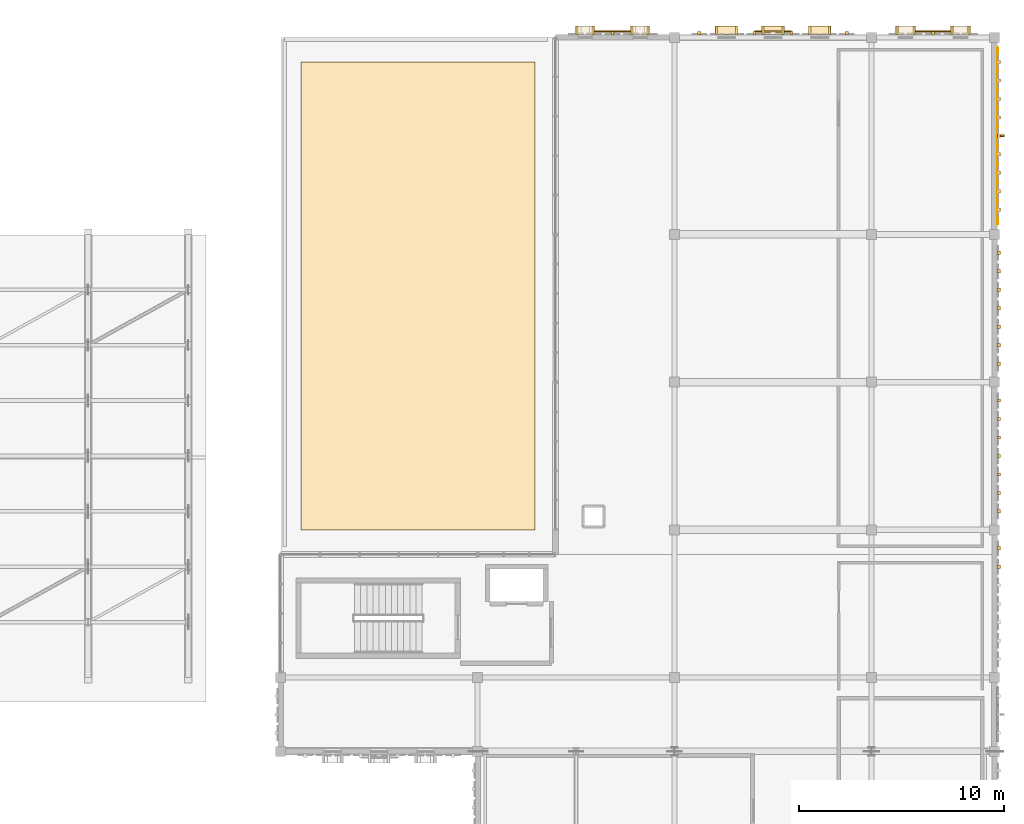
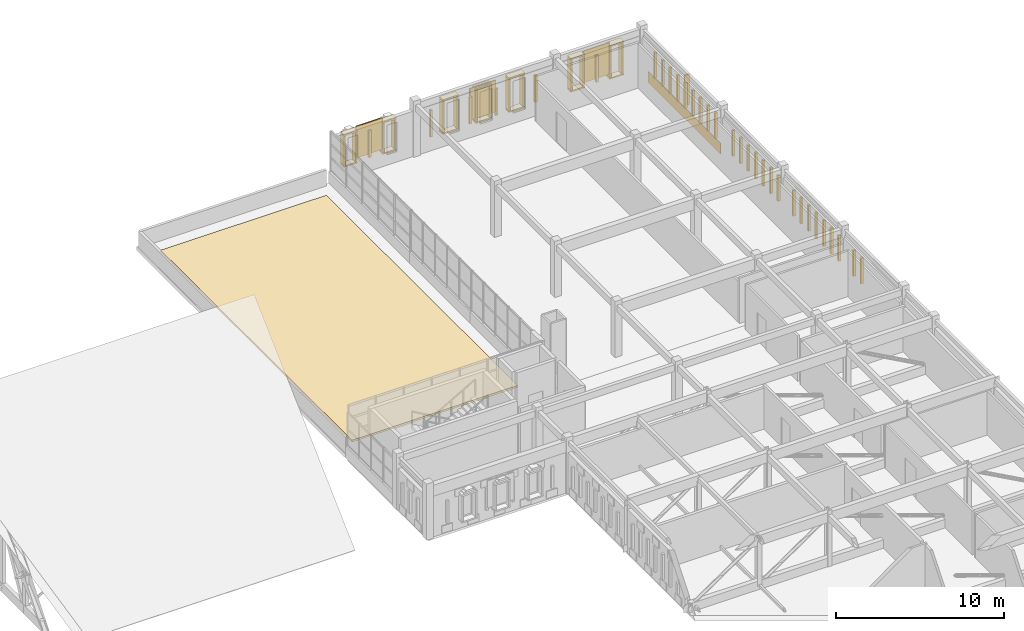
# One storey, part 73 of 79: 61 coverings, 4 shading devices.
"""IFC4 building model written with IfcOpenShell, lengths in metres."""

from ifc_helpers import new_model, si_unit, direction, frame, origin, origin_2d, place, context, subcontext, project, spatial, polyline, rectangle, outline, extrude, material, layer, layer_set, type_object, element, save


model = new_model("IFC4")

# Units and contexts
model_context = context("Model", 3, precision=1e-05, world=origin(), true_north=direction((0.0, 1.0)))
body_context = subcontext(model_context, "Body", "Model", "MODEL_VIEW")
ifc_project = project(units=[si_unit("LENGTHUNIT", "METRE"), si_unit("AREAUNIT", "SQUARE_METRE"), si_unit("VOLUMEUNIT", "CUBIC_METRE"), si_unit("PLANEANGLEUNIT", "RADIAN"), si_unit("MASSUNIT", "GRAM", prefix="KILO")], contexts=[model_context])

# Site, building, storey
site_placement = place(None, origin())
site = spatial("IfcSite", under=ifc_project, at=site_placement, CompositionType="ELEMENT")
building_placement = place(site_placement, origin())
building = spatial("IfcBuilding", under=site, at=building_placement, Name="Nzembalo Square Collegiate School", CompositionType="ELEMENT")
storey_placement = place(building_placement, frame((0.0, 0.0, 9.52001953125)))
storey = spatial("IfcBuildingStorey", under=building, at=storey_placement, Name="L02", CompositionType="ELEMENT", Elevation=9.52001953125)

# Coverings
ifc_material_1 = material(Name="Glazed cobalt ceramic patterned tile")
ifc_layer_1 = layer(ifc_material_1, 0.074951171875, Name="Glazed cobalt ceramic patterned tile")
ifc_layer_set_1 = layer_set([ifc_layer_1], Name="Glazed cobalt ceramic patterned tile")
covering_type_1 = type_object("IfcCoveringType", Name="CL01", PredefinedType="CLADDING", material=ifc_layer_set_1)
covering_1_placement = place(storey_placement, frame((165.757568359375, 109.199951171875, 0.02001953125), z_axis=(0.0, 0.0, 1.0), x_axis=(1.0, 0.0, 0.0)))
element("IfcCovering", 1, at=covering_1_placement, inside=storey, type_object=covering_type_1, Name="Faience spandrel cladding CL01-0172", PredefinedType="CLADDING", context=body_context, shape_type="SweptSolid", body=[
    extrude(rectangle(XDim=0.034912109375, YDim=8.615966796875, at=origin_2d()), origin(), (0.0, 0.0, 1.0), 0.800048828125),
])
ifc_material_2 = material(Name="Glazed ochre ceramic lancet rib")
ifc_layer_2 = layer(ifc_material_2, 0.159912109375, Name="Glazed ochre ceramic lancet rib")
ifc_layer_set_2 = layer_set([ifc_layer_2], Name="Glazed ochre ceramic lancet rib")
covering_type_2 = type_object("IfcCoveringType", Name="CL02", PredefinedType="CLADDING", material=ifc_layer_set_2)
for number, where, z_axis, x_axis, name in (
    (2, (146.97900390625, 114.202392578125, 0.759765625), (0.0, 0.0, 1.0), (1.0, 0.0, 0.0), "Gothic ceramic rib CL02-X0155-2"),
    (3, (151.199951171875, 114.21240234375, 0.759765625), (0.0, 0.0, 1.0), (1.0, 0.0, 0.0), "Gothic ceramic rib CL02-X0156-0"),
    (4, (153.89990234375, 114.21240234375, 0.759765625), (0.0, 0.0, 1.0), (1.0, 0.0, 0.0), "Gothic ceramic rib CL02-X0156-3"),
    (5, (155.699951171875, 114.21240234375, 0.759765625), (0.0, 0.0, 1.0), (1.0, 0.0, 0.0), "Gothic ceramic rib CL02-X0156-5"),
    (6, (158.39990234375, 114.21240234375, 0.759765625), (0.0, 0.0, 1.0), (1.0, 0.0, 0.0), "Gothic ceramic rib CL02-X0156-8"),
    (7, (162.60009765625, 114.202392578125, 0.759765625), (0.0, 0.0, 1.0), (1.0, 0.0, 0.0), "Gothic ceramic rib CL02-X0157-2"),
):
    element("IfcCovering", number, at=place(storey_placement, frame(where, z_axis=z_axis, x_axis=x_axis)), inside=storey, type_object=covering_type_2, Name=name, PredefinedType="CLADDING", context=body_context, shape_type="SweptSolid", body=[
        extrude(rectangle(XDim=0.159912109375, YDim=0.159912109375, at=origin_2d()), origin(), (0.0, 0.0, 1.0), 1.948974609375),
    ])
for number, where, z_axis, x_axis, name in (
    (8, (165.802490234375, 88.199951171875, 0.76025390625), (0.0, 0.0, 1.0), (1.0, 0.0, 0.0), "Gothic ceramic rib CL02-Y0169-5"),
    (9, (165.802490234375, 89.10009765625, 0.76025390625), (0.0, 0.0, 1.0), (1.0, 0.0, 0.0), "Gothic ceramic rib CL02-Y0169-6"),
    (10, (165.8125, 90.89990234375, 0.76025390625), (0.0, 0.0, 1.0), (1.0, 0.0, 0.0), "Gothic ceramic rib CL02-Y0170-0"),
    (11, (165.8125, 91.800048828125, 0.76025390625), (0.0, 0.0, 1.0), (1.0, 0.0, 0.0), "Gothic ceramic rib CL02-Y0170-1"),
    (12, (165.8125, 92.699951171875, 0.76025390625), (0.0, 0.0, 1.0), (1.0, 0.0, 0.0), "Gothic ceramic rib CL02-Y0170-2"),
    (13, (165.8125, 93.60009765625, 0.76025390625), (0.0, 0.0, 1.0), (1.0, 0.0, 0.0), "Gothic ceramic rib CL02-Y0170-3"),
    (14, (165.8125, 94.5, 0.76025390625), (0.0, 0.0, 1.0), (1.0, 0.0, 0.0), "Gothic ceramic rib CL02-Y0170-4"),
    (15, (165.8125, 95.39990234375, 0.76025390625), (0.0, 0.0, 1.0), (1.0, 0.0, 0.0), "Gothic ceramic rib CL02-Y0170-5"),
    (16, (165.8125, 96.300048828125, 0.76025390625), (0.0, 0.0, 1.0), (1.0, 0.0, 0.0), "Gothic ceramic rib CL02-Y0170-6"),
    (17, (165.802490234375, 98.10009765625, 0.76025390625), (0.0, 0.0, 1.0), (1.0, 0.0, 0.0), "Gothic ceramic rib CL02-Y0171-0"),
    (18, (165.802490234375, 99.0, 0.76025390625), (0.0, 0.0, 1.0), (1.0, 0.0, 0.0), "Gothic ceramic rib CL02-Y0171-1"),
    (19, (165.802490234375, 99.89990234375, 0.76025390625), (0.0, 0.0, 1.0), (1.0, 0.0, 0.0), "Gothic ceramic rib CL02-Y0171-2"),
    (20, (165.802490234375, 100.800048828125, 0.76025390625), (0.0, 0.0, 1.0), (1.0, 0.0, 0.0), "Gothic ceramic rib CL02-Y0171-3"),
    (21, (165.802490234375, 101.699951171875, 0.76025390625), (0.0, 0.0, 1.0), (1.0, 0.0, 0.0), "Gothic ceramic rib CL02-Y0171-4"),
    (22, (165.802490234375, 102.60009765625, 0.76025390625), (0.0, 0.0, 1.0), (1.0, 0.0, 0.0), "Gothic ceramic rib CL02-Y0171-5"),
    (23, (165.802490234375, 103.5, 0.76025390625), (0.0, 0.0, 1.0), (1.0, 0.0, 0.0), "Gothic ceramic rib CL02-Y0171-6"),
    (24, (165.8125, 105.60009765625, 0.76025390625), (0.0, 0.0, 1.0), (1.0, 0.0, 0.0), "Gothic ceramic rib CL02-Y0172-0"),
    (25, (165.8125, 106.5, 0.76025390625), (0.0, 0.0, 1.0), (1.0, 0.0, 0.0), "Gothic ceramic rib CL02-Y0172-1"),
    (26, (165.8125, 107.39990234375, 0.76025390625), (0.0, 0.0, 1.0), (1.0, 0.0, 0.0), "Gothic ceramic rib CL02-Y0172-2"),
    (27, (165.8125, 108.300048828125, 0.76025390625), (0.0, 0.0, 1.0), (1.0, 0.0, 0.0), "Gothic ceramic rib CL02-Y0172-3"),
    (28, (165.8125, 109.199951171875, 0.76025390625), (0.0, 0.0, 1.0), (1.0, 0.0, 0.0), "Gothic ceramic rib CL02-Y0172-4"),
    (29, (165.8125, 110.10009765625, 0.76025390625), (0.0, 0.0, 1.0), (1.0, 0.0, 0.0), "Gothic ceramic rib CL02-Y0172-5"),
    (30, (165.8125, 111.0, 0.76025390625), (0.0, 0.0, 1.0), (1.0, 0.0, 0.0), "Gothic ceramic rib CL02-Y0172-6"),
    (31, (165.8125, 111.89990234375, 0.76025390625), (0.0, 0.0, 1.0), (1.0, 0.0, 0.0), "Gothic ceramic rib CL02-Y0172-7"),
    (32, (165.8125, 112.800048828125, 0.76025390625), (0.0, 0.0, 1.0), (1.0, 0.0, 0.0), "Gothic ceramic rib CL02-Y0172-8"),
):
    element("IfcCovering", number, at=place(storey_placement, frame(where, z_axis=z_axis, x_axis=x_axis)), inside=storey, type_object=covering_type_2, Name=name, PredefinedType="CLADDING", context=body_context, shape_type="SweptSolid", body=[
        extrude(rectangle(XDim=0.159912109375, YDim=0.159912109375, at=origin_2d()), origin(), (0.0, 0.0, 1.0), 1.868896484375),
    ])
ifc_material_3 = material(Name="Planted extensive green roof substrate")
ifc_layer_3 = layer(ifc_material_3, 0.139892578125, Name="Planted extensive green roof substrate")
ifc_layer_set_3 = layer_set([ifc_layer_3], Name="Planted extensive green roof substrate")
covering_type_3 = type_object("IfcCoveringType", Name="GR01", PredefinedType="ROOFING", material=ifc_layer_set_3)
covering_2_placement = place(storey_placement, origin())
element("IfcCovering", 33, at=covering_2_placement, inside=storey, type_object=covering_type_3, Name="Planted green roof bed GR01-02", PredefinedType="ROOFING", context=body_context, shape_type="SweptSolid", body=[
    extrude(outline(polyline([(131.800048828125, 90.0), (143.199951171875, 90.0), (143.199951171875, 112.800048828125), (131.800048828125, 112.800048828125), (131.800048828125, 90.0)])), origin(), (0.0, 0.0, 1.0), 0.139892578125),
])
ifc_material_4 = material(Name="Glazed celadon ceramic window frame")
ifc_layer_4 = layer(ifc_material_4, 0.419921875, Name="Glazed celadon ceramic window frame")
ifc_layer_set_4 = layer_set([ifc_layer_4], Name="Glazed celadon ceramic window frame")
covering_type_4 = type_object("IfcCoveringType", Name="WF01", PredefinedType="CLADDING", material=ifc_layer_set_4)
covering_3_placement = place(storey_placement, frame((145.639404296875, 114.33740234375, 2.9150390625), z_axis=(0.0, 0.0, 1.0), x_axis=(1.0, 0.0, 0.0)))
element("IfcCovering", 34, at=covering_3_placement, inside=storey, type_object=covering_type_4, Name="Deep lancet window hood WF01-0428", PredefinedType="CLADDING", context=body_context, shape_type="SweptSolid", body=[
    extrude(rectangle(XDim=0.919921875, YDim=0.419921875, at=origin_2d()), origin(), (0.0, 0.0, 1.0), 0.110107421875),
])
covering_4_placement = place(storey_placement, frame((145.639404296875, 114.33740234375, 0.65478515625), z_axis=(0.0, 0.0, 1.0), x_axis=(1.0, 0.0, 0.0)))
element("IfcCovering", 35, at=covering_4_placement, inside=storey, type_object=covering_type_4, Name="Deep lancet window sill WF01-0428", PredefinedType="CLADDING", context=body_context, shape_type="SweptSolid", body=[
    extrude(rectangle(XDim=0.919921875, YDim=0.419921875, at=origin_2d()), origin(), (0.0, 0.0, 1.0), 0.090087890625),
])
for number, where, z_axis, x_axis, name in (
    (36, (145.244384765625, 114.33740234375, 0.75), (0.0, 0.0, 1.0), (1.0, 0.0, 0.0), "Deep lancet window jamb WF01-0428L"),
    (37, (146.034423828125, 114.33740234375, 0.75), (0.0, 0.0, 1.0), (1.0, 0.0, 0.0), "Deep lancet window jamb WF01-0428R"),
):
    element("IfcCovering", number, at=place(storey_placement, frame(where, z_axis=z_axis, x_axis=x_axis)), inside=storey, type_object=covering_type_4, Name=name, PredefinedType="CLADDING", context=body_context, shape_type="SweptSolid", body=[
        extrude(rectangle(XDim=0.10009765625, YDim=0.419921875, at=origin_2d()), origin(), (0.0, 0.0, 1.0), 2.159912109375),
    ])
covering_5_placement = place(storey_placement, frame((148.318603515625, 114.33740234375, 2.9150390625), z_axis=(0.0, 0.0, 1.0), x_axis=(1.0, 0.0, 0.0)))
element("IfcCovering", 38, at=covering_5_placement, inside=storey, type_object=covering_type_4, Name="Deep lancet window hood WF01-0429", PredefinedType="CLADDING", context=body_context, shape_type="SweptSolid", body=[
    extrude(rectangle(XDim=0.919921875, YDim=0.419921875, at=origin_2d()), origin(), (0.0, 0.0, 1.0), 0.110107421875),
])
covering_6_placement = place(storey_placement, frame((148.318603515625, 114.33740234375, 0.65478515625), z_axis=(0.0, 0.0, 1.0), x_axis=(1.0, 0.0, 0.0)))
element("IfcCovering", 39, at=covering_6_placement, inside=storey, type_object=covering_type_4, Name="Deep lancet window sill WF01-0429", PredefinedType="CLADDING", context=body_context, shape_type="SweptSolid", body=[
    extrude(rectangle(XDim=0.919921875, YDim=0.419921875, at=origin_2d()), origin(), (0.0, 0.0, 1.0), 0.090087890625),
])
for number, where, z_axis, x_axis, name in (
    (40, (147.923583984375, 114.33740234375, 0.75), (0.0, 0.0, 1.0), (1.0, 0.0, 0.0), "Deep lancet window jamb WF01-0429L"),
    (41, (148.71337890625, 114.33740234375, 0.75), (0.0, 0.0, 1.0), (1.0, 0.0, 0.0), "Deep lancet window jamb WF01-0429R"),
):
    element("IfcCovering", number, at=place(storey_placement, frame(where, z_axis=z_axis, x_axis=x_axis)), inside=storey, type_object=covering_type_4, Name=name, PredefinedType="CLADDING", context=body_context, shape_type="SweptSolid", body=[
        extrude(rectangle(XDim=0.10009765625, YDim=0.419921875, at=origin_2d()), origin(), (0.0, 0.0, 1.0), 2.159912109375),
    ])
covering_7_placement = place(storey_placement, frame((152.52587890625, 114.347412109375, 3.07470703125), z_axis=(0.0, 0.0, 1.0), x_axis=(1.0, 0.0, 0.0)))
element("IfcCovering", 42, at=covering_7_placement, inside=storey, type_object=covering_type_4, Name="Deep lancet window hood WF01-0430", PredefinedType="CLADDING", context=body_context, shape_type="SweptSolid", body=[
    extrude(rectangle(XDim=1.10009765625, YDim=0.419921875, at=origin_2d()), origin(), (0.0, 0.0, 1.0), 0.110107421875),
])
covering_8_placement = place(storey_placement, frame((152.52587890625, 114.347412109375, 0.65478515625), z_axis=(0.0, 0.0, 1.0), x_axis=(1.0, 0.0, 0.0)))
element("IfcCovering", 43, at=covering_8_placement, inside=storey, type_object=covering_type_4, Name="Deep lancet window sill WF01-0430", PredefinedType="CLADDING", context=body_context, shape_type="SweptSolid", body=[
    extrude(rectangle(XDim=1.10009765625, YDim=0.419921875, at=origin_2d()), origin(), (0.0, 0.0, 1.0), 0.090087890625),
])
for number, where, z_axis, x_axis, name in (
    (44, (152.041015625, 114.347412109375, 0.75), (0.0, 0.0, 1.0), (1.0, 0.0, 0.0), "Deep lancet window jamb WF01-0430L"),
    (45, (153.010986328125, 114.347412109375, 0.75), (0.0, 0.0, 1.0), (1.0, 0.0, 0.0), "Deep lancet window jamb WF01-0430R"),
):
    element("IfcCovering", number, at=place(storey_placement, frame(where, z_axis=z_axis, x_axis=x_axis)), inside=storey, type_object=covering_type_4, Name=name, PredefinedType="CLADDING", context=body_context, shape_type="SweptSolid", body=[
        extrude(rectangle(XDim=0.10009765625, YDim=0.419921875, at=origin_2d()), origin(), (0.0, 0.0, 1.0), 2.320068359375),
    ])
covering_9_placement = place(storey_placement, frame((154.800048828125, 114.347412109375, 3.07470703125), z_axis=(0.0, 0.0, 1.0), x_axis=(1.0, 0.0, 0.0)))
element("IfcCovering", 46, at=covering_9_placement, inside=storey, type_object=covering_type_4, Name="Deep lancet window hood WF01-0431", PredefinedType="CLADDING", context=body_context, shape_type="SweptSolid", body=[
    extrude(rectangle(XDim=1.10009765625, YDim=0.419921875, at=origin_2d()), origin(), (0.0, 0.0, 1.0), 0.110107421875),
])
covering_10_placement = place(storey_placement, frame((154.800048828125, 114.347412109375, 0.65478515625), z_axis=(0.0, 0.0, 1.0), x_axis=(1.0, 0.0, 0.0)))
element("IfcCovering", 47, at=covering_10_placement, inside=storey, type_object=covering_type_4, Name="Deep lancet window sill WF01-0431", PredefinedType="CLADDING", context=body_context, shape_type="SweptSolid", body=[
    extrude(rectangle(XDim=1.10009765625, YDim=0.419921875, at=origin_2d()), origin(), (0.0, 0.0, 1.0), 0.090087890625),
])
for number, where, z_axis, x_axis, name in (
    (48, (154.31494140625, 114.347412109375, 0.75), (0.0, 0.0, 1.0), (1.0, 0.0, 0.0), "Deep lancet window jamb WF01-0431L"),
    (49, (155.284912109375, 114.347412109375, 0.75), (0.0, 0.0, 1.0), (1.0, 0.0, 0.0), "Deep lancet window jamb WF01-0431R"),
):
    element("IfcCovering", number, at=place(storey_placement, frame(where, z_axis=z_axis, x_axis=x_axis)), inside=storey, type_object=covering_type_4, Name=name, PredefinedType="CLADDING", context=body_context, shape_type="SweptSolid", body=[
        extrude(rectangle(XDim=0.10009765625, YDim=0.419921875, at=origin_2d()), origin(), (0.0, 0.0, 1.0), 2.320068359375),
    ])
covering_11_placement = place(storey_placement, frame((157.073974609375, 114.347412109375, 3.07470703125), z_axis=(0.0, 0.0, 1.0), x_axis=(1.0, 0.0, 0.0)))
element("IfcCovering", 50, at=covering_11_placement, inside=storey, type_object=covering_type_4, Name="Deep lancet window hood WF01-0432", PredefinedType="CLADDING", context=body_context, shape_type="SweptSolid", body=[
    extrude(rectangle(XDim=1.10009765625, YDim=0.419921875, at=origin_2d()), origin(), (0.0, 0.0, 1.0), 0.110107421875),
])
covering_12_placement = place(storey_placement, frame((157.073974609375, 114.347412109375, 0.65478515625), z_axis=(0.0, 0.0, 1.0), x_axis=(1.0, 0.0, 0.0)))
element("IfcCovering", 51, at=covering_12_placement, inside=storey, type_object=covering_type_4, Name="Deep lancet window sill WF01-0432", PredefinedType="CLADDING", context=body_context, shape_type="SweptSolid", body=[
    extrude(rectangle(XDim=1.10009765625, YDim=0.419921875, at=origin_2d()), origin(), (0.0, 0.0, 1.0), 0.090087890625),
])
for number, where, z_axis, x_axis, name in (
    (52, (156.589111328125, 114.347412109375, 0.75), (0.0, 0.0, 1.0), (1.0, 0.0, 0.0), "Deep lancet window jamb WF01-0432L"),
    (53, (157.55908203125, 114.347412109375, 0.75), (0.0, 0.0, 1.0), (1.0, 0.0, 0.0), "Deep lancet window jamb WF01-0432R"),
):
    element("IfcCovering", number, at=place(storey_placement, frame(where, z_axis=z_axis, x_axis=x_axis)), inside=storey, type_object=covering_type_4, Name=name, PredefinedType="CLADDING", context=body_context, shape_type="SweptSolid", body=[
        extrude(rectangle(XDim=0.10009765625, YDim=0.419921875, at=origin_2d()), origin(), (0.0, 0.0, 1.0), 2.320068359375),
    ])
covering_13_placement = place(storey_placement, frame((161.260986328125, 114.33740234375, 2.9951171875), z_axis=(0.0, 0.0, 1.0), x_axis=(1.0, 0.0, 0.0)))
element("IfcCovering", 54, at=covering_13_placement, inside=storey, type_object=covering_type_4, Name="Deep lancet window hood WF01-0436", PredefinedType="CLADDING", context=body_context, shape_type="SweptSolid", body=[
    extrude(rectangle(XDim=0.9599609375, YDim=0.419921875, at=origin_2d()), origin(), (0.0, 0.0, 1.0), 0.110107421875),
])
covering_14_placement = place(storey_placement, frame((161.260986328125, 114.33740234375, 0.65478515625), z_axis=(0.0, 0.0, 1.0), x_axis=(1.0, 0.0, 0.0)))
element("IfcCovering", 55, at=covering_14_placement, inside=storey, type_object=covering_type_4, Name="Deep lancet window sill WF01-0436", PredefinedType="CLADDING", context=body_context, shape_type="SweptSolid", body=[
    extrude(rectangle(XDim=0.9599609375, YDim=0.419921875, at=origin_2d()), origin(), (0.0, 0.0, 1.0), 0.090087890625),
])
for number, where, z_axis, x_axis, name in (
    (56, (160.845947265625, 114.33740234375, 0.75), (0.0, 0.0, 1.0), (1.0, 0.0, 0.0), "Deep lancet window jamb WF01-0436L"),
    (57, (161.676025390625, 114.33740234375, 0.75), (0.0, 0.0, 1.0), (1.0, 0.0, 0.0), "Deep lancet window jamb WF01-0436R"),
):
    element("IfcCovering", number, at=place(storey_placement, frame(where, z_axis=z_axis, x_axis=x_axis)), inside=storey, type_object=covering_type_4, Name=name, PredefinedType="CLADDING", context=body_context, shape_type="SweptSolid", body=[
        extrude(rectangle(XDim=0.10009765625, YDim=0.419921875, at=origin_2d()), origin(), (0.0, 0.0, 1.0), 2.239990234375),
    ])
covering_15_placement = place(storey_placement, frame((163.93896484375, 114.33740234375, 2.9951171875), z_axis=(0.0, 0.0, 1.0), x_axis=(1.0, 0.0, 0.0)))
element("IfcCovering", 58, at=covering_15_placement, inside=storey, type_object=covering_type_4, Name="Deep lancet window hood WF01-0437", PredefinedType="CLADDING", context=body_context, shape_type="SweptSolid", body=[
    extrude(rectangle(XDim=0.9599609375, YDim=0.419921875, at=origin_2d()), origin(), (0.0, 0.0, 1.0), 0.110107421875),
])
covering_16_placement = place(storey_placement, frame((163.93896484375, 114.33740234375, 0.65478515625), z_axis=(0.0, 0.0, 1.0), x_axis=(1.0, 0.0, 0.0)))
element("IfcCovering", 59, at=covering_16_placement, inside=storey, type_object=covering_type_4, Name="Deep lancet window sill WF01-0437", PredefinedType="CLADDING", context=body_context, shape_type="SweptSolid", body=[
    extrude(rectangle(XDim=0.9599609375, YDim=0.419921875, at=origin_2d()), origin(), (0.0, 0.0, 1.0), 0.090087890625),
])
for number, where, z_axis, x_axis, name in (
    (60, (163.52392578125, 114.33740234375, 0.75), (0.0, 0.0, 1.0), (1.0, 0.0, 0.0), "Deep lancet window jamb WF01-0437L"),
    (61, (164.35400390625, 114.33740234375, 0.75), (0.0, 0.0, 1.0), (1.0, 0.0, 0.0), "Deep lancet window jamb WF01-0437R"),
):
    element("IfcCovering", number, at=place(storey_placement, frame(where, z_axis=z_axis, x_axis=x_axis)), inside=storey, type_object=covering_type_4, Name=name, PredefinedType="CLADDING", context=body_context, shape_type="SweptSolid", body=[
        extrude(rectangle(XDim=0.10009765625, YDim=0.419921875, at=origin_2d()), origin(), (0.0, 0.0, 1.0), 2.239990234375),
    ])

# Shading devices
ifc_material_5 = material(Name="Glazed ochre ceramic vertical fin")
shading_device_type_1 = type_object("IfcShadingDeviceType", Name="JL01", PredefinedType="JALOUSIE", material=ifc_material_5)
shading_device_1_placement = place(storey_placement, frame((165.8974609375, 109.199951171875, 0.9501953125), z_axis=(0.0, 0.0, 1.0), x_axis=(1.0, 0.0, 0.0)))
element("IfcShadingDevice", 62, at=shading_device_1_placement, inside=storey, type_object=shading_device_type_1, Name="Ceramic fin JL01-0172", PredefinedType="JALOUSIE", context=body_context, shape_type="SweptSolid", body=[
    extrude(rectangle(XDim=0.320068359375, YDim=0.090087890625, at=origin_2d()), origin(), (0.0, 0.0, 1.0), 2.218994140625),
])
ifc_material_6 = material(Name="Glazed cobalt ceramic lancet screen")
ifc_layer_5 = layer(ifc_material_6, 0.080078125, Name="Glazed cobalt ceramic lancet screen")
ifc_layer_set_5 = layer_set([ifc_layer_5], Name="Glazed cobalt ceramic lancet screen")
shading_device_type_2 = type_object("IfcShadingDeviceType", Name="SC01", PredefinedType="USERDEFINED", material=ifc_layer_set_5)
for number, where, z_axis, x_axis, name in (
    (63, (146.97900390625, 114.282470703125, 0.94970703125), (0.0, 0.0, 1.0), (1.0, 0.0, 0.0), "Ceramic lancet screen SC01-003"),
    (64, (162.60009765625, 114.282470703125, 0.94970703125), (0.0, 0.0, 1.0), (1.0, 0.0, 0.0), "Ceramic lancet screen SC01-005"),
):
    element("IfcShadingDevice", number, at=place(storey_placement, frame(where, z_axis=z_axis, x_axis=x_axis)), inside=storey, type_object=shading_device_type_2, Name=name, ObjectType="SCREEN", PredefinedType="USERDEFINED", context=body_context, shape_type="SweptSolid", body=[
        extrude(rectangle(XDim=1.800048828125, YDim=0.080078125, at=origin_2d()), origin(), (0.0, 0.0, 1.0), 2.299072265625),
    ])
ifc_material_7 = material(Name="Glazed celadon ceramic lancet screen")
ifc_layer_6 = layer(ifc_material_7, 0.080078125, Name="Glazed celadon ceramic lancet screen")
ifc_layer_set_6 = layer_set([ifc_layer_6], Name="Glazed celadon ceramic lancet screen")
shading_device_type_3 = type_object("IfcShadingDeviceType", Name="SC02", PredefinedType="USERDEFINED", material=ifc_layer_set_6)
shading_device_2_placement = place(storey_placement, frame((154.800048828125, 114.29248046875, 0.94970703125), z_axis=(0.0, 0.0, 1.0), x_axis=(1.0, 0.0, 0.0)))
element("IfcShadingDevice", 65, at=shading_device_2_placement, inside=storey, type_object=shading_device_type_3, Name="Ceramic lancet screen SC02-004", ObjectType="SCREEN", PredefinedType="USERDEFINED", context=body_context, shape_type="SweptSolid", body=[
    extrude(rectangle(XDim=1.800048828125, YDim=0.080078125, at=origin_2d()), origin(), (0.0, 0.0, 1.0), 2.299072265625),
])

save(model, "model.ifc")
